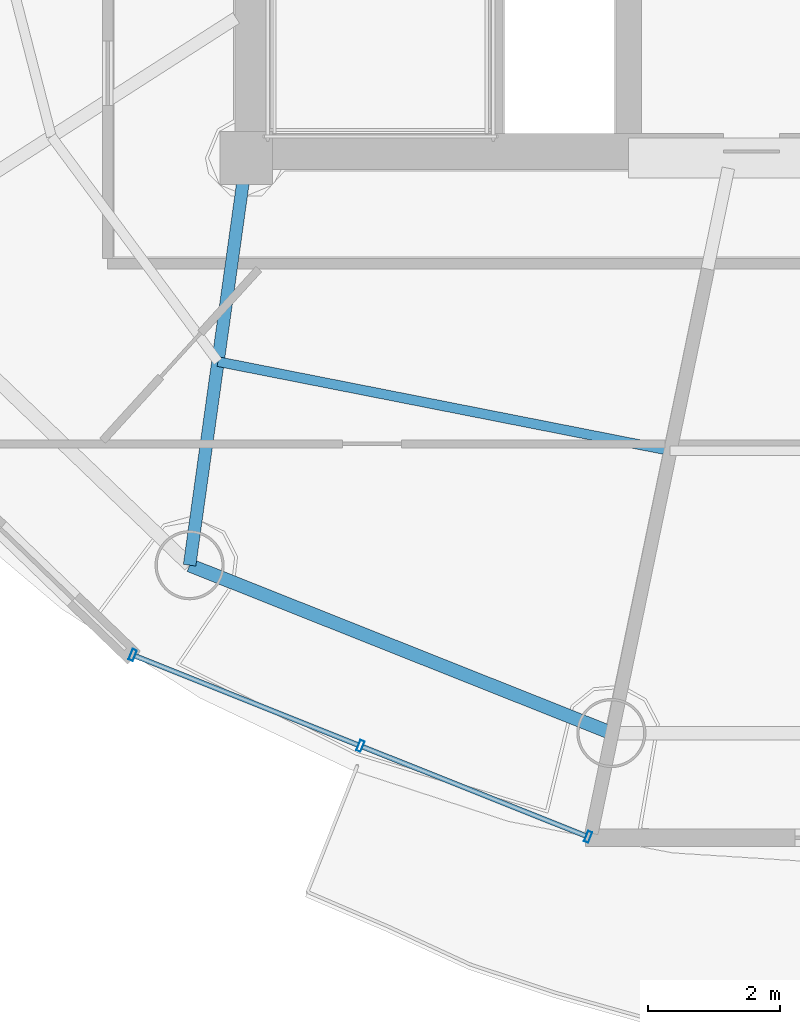
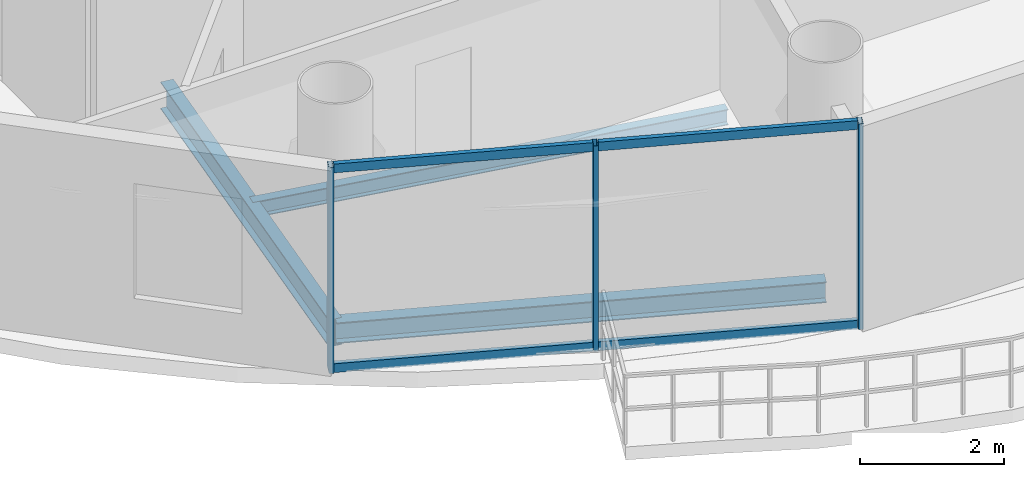
# One storey, part 2 of 21: 7 members, 3 beams, 1 element without a shape of its own.
"""IFC4 building model written with IfcOpenShell, lengths in metres."""

from ifc_helpers import new_model, si_unit, direction, frame, origin, origin_2d, place, context, subcontext, project, spatial, hollow_rectangle, i_section, extrude, source, transform, mapped, material, material_profile, profile_set, type_object, element, aggregate, save


model = new_model("IFC4")

# Units and contexts
model_context = context("Model", 3, precision=1e-05, world=origin(), true_north=direction((-0.2419218956, 0.970295726276)))
body_context = subcontext(model_context, "Body", "Model", "MODEL_VIEW")
ifc_project = project(units=[si_unit("LENGTHUNIT", "METRE"), si_unit("AREAUNIT", "SQUARE_METRE"), si_unit("VOLUMEUNIT", "CUBIC_METRE"), si_unit("PLANEANGLEUNIT", "RADIAN"), si_unit("MASSUNIT", "GRAM", prefix="KILO")], contexts=[model_context])

# Site, building, storey
site_placement = place(None, origin())
site = spatial("IfcSite", under=ifc_project, at=site_placement, CompositionType="ELEMENT")
building_placement = place(site_placement, origin())
building = spatial("IfcBuilding", under=site, at=building_placement, Name="Cobrevalo Terracotta Tower", CompositionType="ELEMENT")
storey_placement = place(building_placement, frame((0.0, 0.0, 285.699951171875)))
storey = spatial("IfcBuildingStorey", under=building, at=storey_placement, Name="L75", CompositionType="ELEMENT", Elevation=285.699951171875)

# Beams
ifc_material_1 = material(Name="Steel S355", Category="steel")
ifc_material_profile_1 = material_profile(ifc_material_1, i_section(OverallWidth=0.19091796875, OverallDepth=0.4599609375, WebThickness=0.010009765625, FlangeThickness=0.01611328125, at=origin_2d()), Name="W 460x82")
ifc_profile_set_1 = profile_set([ifc_material_profile_1], Name="Steel S355")
beam_type_1 = type_object("IfcBeamType", Name="Structural Beam W 460x82 (Steel S355)", PredefinedType="BEAM", material=ifc_profile_set_1)
beam_1_placement = place(storey_placement, frame((28.138671875, 12.62353515625, -0.489990234375), z_axis=(0.138115657759, 0.990416107039, 0.0), x_axis=(-0.990416107039, 0.138115657759, 0.0)))
element("IfcBeam", 1, at=beam_1_placement, inside=storey, type_object=beam_type_1, Name="L75 radial floor girder 11", PredefinedType="BEAM", context=body_context, shape_type="SweptSolid", body=[
    extrude(i_section(OverallWidth=0.19091796875, OverallDepth=0.4599609375, WebThickness=0.010009765625, FlangeThickness=0.01611328125, at=origin_2d()), origin(), (0.0, 0.0, 1.0), 6.236328125),
])
ifc_material_profile_2 = material_profile(ifc_material_1, i_section(OverallWidth=0.14794921875, OverallDepth=0.26611328125, WebThickness=0.007568359375, FlangeThickness=0.012939453125, at=origin_2d()), Name="W 250x44.8")
ifc_profile_set_2 = profile_set([ifc_material_profile_2], Name="Steel S355")
beam_type_2 = type_object("IfcBeamType", Name="Structural Joist W 250x44.8 (Steel S355)", PredefinedType="JOIST", material=ifc_profile_set_2)
beam_2_placement = place(storey_placement, frame((28.5693359375, 15.711669921875, -0.39306640625), z_axis=(0.981145060421, -0.193272787563, 0.0), x_axis=(0.193272787563, 0.981145060421, 0.0)))
element("IfcBeam", 2, at=beam_2_placement, inside=storey, type_object=beam_type_2, Name="L75 circumferential secondary floor joist 11", PredefinedType="JOIST", context=body_context, shape_type="SweptSolid", body=[
    extrude(i_section(OverallWidth=0.14794921875, OverallDepth=0.26611328125, WebThickness=0.007568359375, FlangeThickness=0.012939453125, at=origin_2d()), origin(), (0.0, 0.0, 1.0), 6.98681640625),
])
ifc_material_profile_3 = material_profile(ifc_material_1, i_section(OverallWidth=0.205078125, OverallDepth=0.35400390625, WebThickness=0.009521484375, FlangeThickness=0.016845703125, at=origin_2d()), Name="W 360x79")
ifc_profile_set_3 = profile_set([ifc_material_profile_3], Name="Steel S355")
beam_type_3 = type_object("IfcBeamType", Name="Structural Spandrel W 360x79 (Steel S355)", PredefinedType="SPANDREL", material=ifc_profile_set_3)
beam_3_placement = place(storey_placement, frame((28.138671875, 12.62353515625, -0.43701171875), z_axis=(0.929149986048, -0.369702993533, 0.0), x_axis=(0.369702993533, 0.929149986048, 0.0)))
element("IfcBeam", 3, at=beam_3_placement, inside=storey, type_object=beam_type_3, Name="L75 perimeter ring spandrel 11", PredefinedType="SPANDREL", context=body_context, shape_type="SweptSolid", body=[
    extrude(i_section(OverallWidth=0.205078125, OverallDepth=0.35400390625, WebThickness=0.009521484375, FlangeThickness=0.016845703125, at=origin_2d()), origin(), (0.0, 0.0, 1.0), 6.88623046875),
])

# Curtain wall, members
ifc_material_2 = material(Name="Anodized aluminium", Category="aluminium")
curtain_wall_type = type_object("IfcCurtainWallType", Name="Upper-tower triple-glazed penthouse curtain wall CW-U3", PredefinedType="NOTDEFINED", material=ifc_material_2)
curtain_wall_placement = place(storey_placement, origin())
curtain_wall = element("IfcCurtainWall", 4, at=curtain_wall_placement, inside=storey, type_object=curtain_wall_type, Name="L75 curtain wall CW-L75-S11", PredefinedType="NOTDEFINED")
ifc_material_profile_4 = material_profile(ifc_material_2, hollow_rectangle(XDim=0.070068359375, YDim=0.169921875, WallThickness=0.00439453125, at=origin_2d()), Name="CWM 70x170")
ifc_profile_set_4 = profile_set([ifc_material_profile_4], Name="Anodized aluminium")
member_type_1 = type_object("IfcMemberType", Name="Upper tower unitised mullion 70x170", PredefinedType="MULLION", material=ifc_profile_set_4)
shared_shape_1 = source(origin(), body_context, "Body", "SweptSolid", [
    extrude(hollow_rectangle(XDim=0.070068359375, YDim=0.169921875, WallThickness=0.00439453125, at=origin_2d()), origin(), (0.0, 0.0, 1.0), 3.489990234375),
])
member_1_placement = place(storey_placement, frame((27.275634765625, 11.26171875, 0.0), z_axis=(0.0, 0.0, 1.0), x_axis=(0.928718980883, -0.370784377433, 0.0)))
member_1 = element("IfcMember", 5, at=member_1_placement, type_object=member_type_1, Name="CW-L75-S11 vertical mullion 01", PredefinedType="MULLION", context=body_context, shape_type="MappedRepresentation", body=[
    mapped(shared_shape_1, transform((0.0, 0.0, 0.0), scale=1.0)),
])
member_2_placement = place(storey_placement, frame((30.729736328125, 9.882568359375, 0.0), z_axis=(0.0, 0.0, 1.0), x_axis=(0.928718980883, -0.370784377433, 0.0)))
member_2 = element("IfcMember", 6, at=member_2_placement, type_object=member_type_1, Name="CW-L75-S11 vertical mullion 02", PredefinedType="MULLION", context=body_context, shape_type="MappedRepresentation", body=[
    mapped(shared_shape_1, transform((0.0, 0.0, 0.0), scale=1.0)),
])
member_3_placement = place(storey_placement, frame((34.183837890625, 8.503662109375, 0.0), z_axis=(0.0, 0.0, 1.0), x_axis=(0.928718980883, -0.370784377433, 0.0)))
member_3 = element("IfcMember", 7, at=member_3_placement, type_object=member_type_1, Name="CW-L75-S11 vertical mullion 03", PredefinedType="MULLION", context=body_context, shape_type="MappedRepresentation", body=[
    mapped(shared_shape_1, transform((0.0, 0.0, 0.0), scale=1.0)),
])
ifc_material_profile_5 = material_profile(ifc_material_2, hollow_rectangle(XDim=0.074951171875, YDim=0.14990234375, WallThickness=0.00439453125, at=origin_2d()), Name="CWT 75x150")
ifc_profile_set_5 = profile_set([ifc_material_profile_5], Name="Anodized aluminium")
member_type_2 = type_object("IfcMemberType", Name="Tower unitised aluminium transom 75x150", PredefinedType="USERDEFINED", material=ifc_profile_set_5)
shared_shape_2 = source(origin(), body_context, "Body", "SweptSolid", [
    extrude(hollow_rectangle(XDim=0.074951171875, YDim=0.14990234375, WallThickness=0.00439453125, at=origin_2d()), origin(), (0.0, 0.0, 1.0), 3.63916015625),
])
member_4_placement = place(storey_placement, frame((27.31298828125, 11.246826171875, 0.050048828125), z_axis=(0.928712471544, -0.370800681227, 0.0), x_axis=(0.370800681227, 0.928712471544, 0.0)))
member_4 = element("IfcMember", 8, at=member_4_placement, type_object=member_type_2, Name="CW-L75-S11 transom B01-T1", ObjectType="TRANSOM", PredefinedType="USERDEFINED", context=body_context, shape_type="MappedRepresentation", body=[
    mapped(shared_shape_2, transform((0.0, 0.0, 0.0), scale=1.0)),
])
member_5_placement = place(storey_placement, frame((27.31298828125, 11.246826171875, 3.43994140625), z_axis=(0.928712471544, -0.370800681227, 0.0), x_axis=(0.370800681227, 0.928712471544, 0.0)))
member_5 = element("IfcMember", 9, at=member_5_placement, type_object=member_type_2, Name="CW-L75-S11 transom B01-T2", ObjectType="TRANSOM", PredefinedType="USERDEFINED", context=body_context, shape_type="MappedRepresentation", body=[
    mapped(shared_shape_2, transform((0.0, 0.0, 0.0), scale=1.0)),
])
member_6_placement = place(storey_placement, frame((30.76708984375, 9.86767578125, 0.050048828125), z_axis=(0.928712471544, -0.370800681227, 0.0), x_axis=(0.370800681227, 0.928712471544, 0.0)))
member_6 = element("IfcMember", 10, at=member_6_placement, type_object=member_type_2, Name="CW-L75-S11 transom B02-T1", ObjectType="TRANSOM", PredefinedType="USERDEFINED", context=body_context, shape_type="MappedRepresentation", body=[
    mapped(shared_shape_2, transform((0.0, 0.0, 0.0), scale=1.0)),
])
member_7_placement = place(storey_placement, frame((30.76708984375, 9.86767578125, 3.43994140625), z_axis=(0.928712471544, -0.370800681227, 0.0), x_axis=(0.370800681227, 0.928712471544, 0.0)))
member_7 = element("IfcMember", 11, at=member_7_placement, type_object=member_type_2, Name="CW-L75-S11 transom B02-T2", ObjectType="TRANSOM", PredefinedType="USERDEFINED", context=body_context, shape_type="MappedRepresentation", body=[
    mapped(shared_shape_2, transform((0.0, 0.0, 0.0), scale=1.0)),
])
aggregate(curtain_wall, [member_1, member_2, member_3, member_4, member_5, member_6, member_7])

save(model, "model.ifc")
